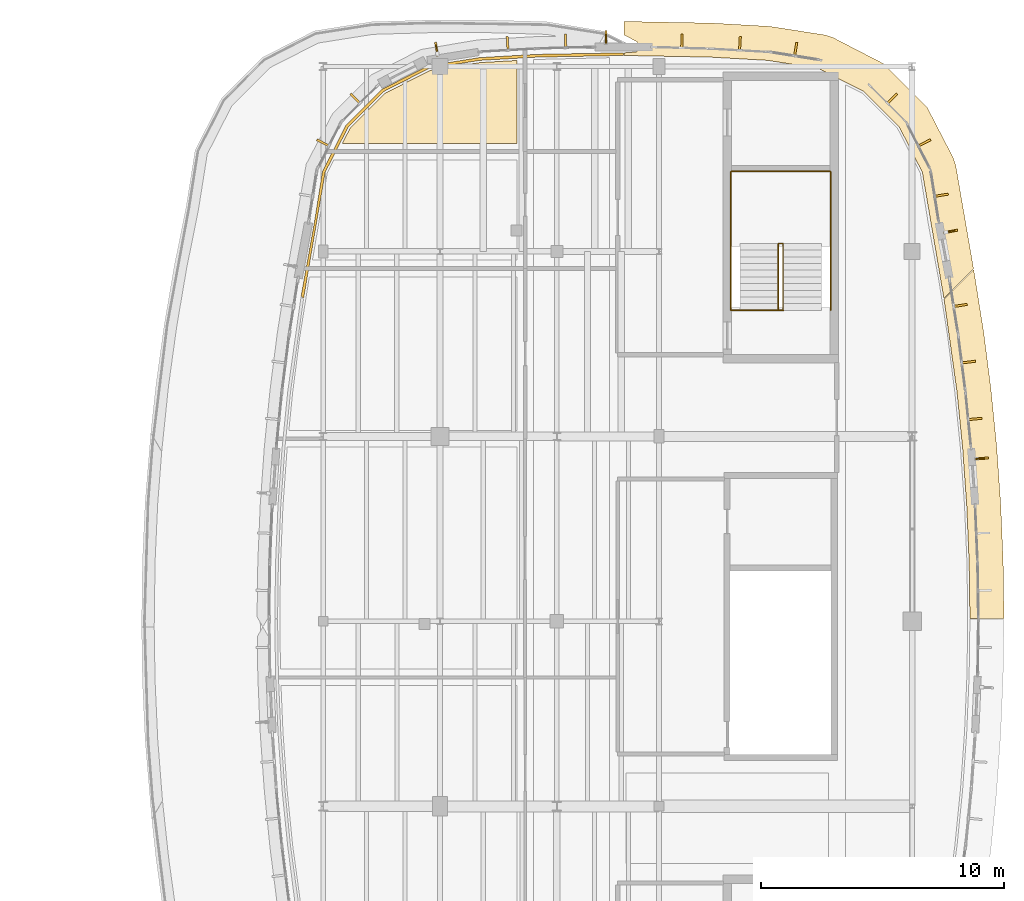
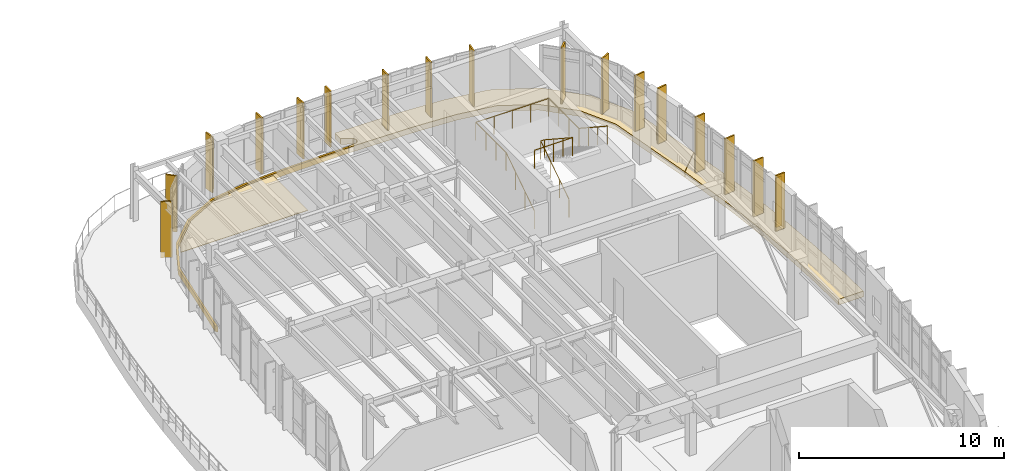
# One storey, part 30 of 30: 21 coverings, 4 shading devices, 3 railings.
"""IFC4 building model written with IfcOpenShell, lengths in metres."""

import ifcopenshell
import ifcopenshell.guid

model = None  # the IFC model being written
_history = None  # IfcOwnerHistory: only IFC2X3 demands one
_inside = {}  # id of a spatial element -> (the spatial element, [elements in it])
_under = {}  # id of a project, library or spatial element -> (it, [spatial elements below it])
_declared = {}  # id of a project -> (the project, [libraries it declares])
_typed = {}  # id of a type object -> (the type object, [elements of that type])
_made_of = {}  # id of a material, layer set ... -> (it, [elements and type objects made of it])


def new_model(schema):
    """Start an empty IFC model of exactly this schema.

    Asked for "IFC4X3", IfcOpenShell would pick the latest addendum, in which some entities
    have other attributes; the version numbers below select the first issue.
    IFC2X3 requires an IfcOwnerHistory on every rooted entity: one is made here for all.
    """
    global model, _history
    if schema == "IFC4X3":
        model = ifcopenshell.file(schema_version=(4, 3, 0, 0))
    else:
        model = ifcopenshell.file(schema=schema)
    _inside.clear()
    _under.clear()
    _declared.clear()
    _typed.clear()
    _made_of.clear()
    _history = None
    if model.schema == "IFC2X3":
        org = make("IfcOrganization", Name="unknown")
        user = make(
            "IfcPersonAndOrganization",
            ThePerson=make("IfcPerson", FamilyName="unknown"),
            TheOrganization=org,
        )
        app = make(
            "IfcApplication",
            ApplicationDeveloper=org,
            Version="unknown",
            ApplicationFullName="unknown",
            ApplicationIdentifier="unknown",
        )
        _history = make(
            "IfcOwnerHistory",
            OwningUser=user,
            OwningApplication=app,
            ChangeAction="ADDED",
            CreationDate=0,
        )
    return model


def make(cls, **values):
    """One entity of the class cls with the attributes given. An attribute that is None is left unset."""
    return model.create_entity(
        cls, **{name: value for name, value in values.items() if value is not None}
    )


def rooted(cls, **values):
    """An entity with a GlobalId (a new one), such as an element, a storey or a relation."""
    return make(cls, GlobalId=ifcopenshell.guid.new(), OwnerHistory=_history, **values)


def si_unit(unit_type, name, prefix=None):
    """IfcSIUnit, for example si_unit("LENGTHUNIT", "METRE", prefix="MILLI")."""
    return make("IfcSIUnit", UnitType=unit_type, Prefix=prefix, Name=name)


def assignment(units):
    """IfcUnitAssignment: the units of a project."""
    return None if units is None else make("IfcUnitAssignment", Units=units)


def point(xyz):
    """IfcCartesianPoint."""
    return None if xyz is None else make("IfcCartesianPoint", Coordinates=xyz)


def direction(xyz):
    """IfcDirection."""
    return None if xyz is None else make("IfcDirection", DirectionRatios=xyz)


def frame(location, z_axis=None, x_axis=None):
    """IfcAxis2Placement3D, a coordinate frame: its origin and axes. An axis left out is left unset."""
    return make(
        "IfcAxis2Placement3D",
        Location=point(location),
        Axis=direction(z_axis),
        RefDirection=direction(x_axis),
    )


def frame_2d(location, x_axis=None):
    """IfcAxis2Placement2D, a coordinate frame in the plane: its origin and x axis."""
    return make(
        "IfcAxis2Placement2D", Location=point(location), RefDirection=direction(x_axis)
    )


def origin():
    """The frame at (0, 0, 0) with its axes left unset."""
    return frame((0.0, 0.0, 0.0))


def origin_2d():
    """The frame at (0, 0) in the plane with its x axis left unset."""
    return frame_2d((0.0, 0.0))


def place(relative_to, where):
    """IfcLocalPlacement: puts the frame where relative to a parent placement (None: the world)."""
    return make(
        "IfcLocalPlacement", PlacementRelTo=relative_to, RelativePlacement=where
    )


def context(
    kind, dimensions, precision=None, world=None, true_north=None, identifier=None
):
    """IfcGeometricRepresentationContext, for example the 3D "Model" context."""
    return make(
        "IfcGeometricRepresentationContext",
        ContextIdentifier=identifier,
        ContextType=kind,
        CoordinateSpaceDimension=dimensions,
        Precision=precision,
        WorldCoordinateSystem=world,
        TrueNorth=true_north,
    )


def subcontext(parent, identifier, kind, view, scale=None):
    """IfcGeometricRepresentationSubContext, for example "Body" below "Model"."""
    return make(
        "IfcGeometricRepresentationSubContext",
        ContextIdentifier=identifier,
        ContextType=kind,
        ParentContext=parent,
        TargetScale=scale,
        TargetView=view,
    )


def project(units=None, contexts=None):
    """IfcProject with its units and contexts."""
    return rooted(
        "IfcProject",
        Name="project",
        RepresentationContexts=contexts,
        UnitsInContext=assignment(units),
    )


def spatial(cls, under=None, at=None, **own):
    """A site, building, storey or space (cls), placed at a placement, below another one or the project."""
    s = rooted(cls, ObjectPlacement=at, **own)
    if under is not None:
        _under.setdefault(under.id(), (under, []))[1].append(s)
    return s


def polyline(points):
    """IfcPolyline through the points."""
    return make("IfcPolyline", Points=[point(p) for p in points])


def profile(cls, at=None, kind="AREA", **sizes):
    """A parametric profile (cls). Its sizes go by their IFC names, for example OverallWidth=200.0."""
    return make(cls, ProfileType=kind, Position=at, **sizes)


def rectangle(**sizes):
    """IfcRectangleProfileDef."""
    return profile("IfcRectangleProfileDef", **sizes)


def circle(**sizes):
    """IfcCircleProfileDef."""
    return profile("IfcCircleProfileDef", **sizes)


def outline(outer, holes=None, kind="AREA"):
    """IfcArbitraryClosedProfileDef: a profile drawn as a closed curve; with holes, ...WithVoids."""
    if holes is None:
        return make("IfcArbitraryClosedProfileDef", ProfileType=kind, OuterCurve=outer)
    return make(
        "IfcArbitraryProfileDefWithVoids",
        ProfileType=kind,
        OuterCurve=outer,
        InnerCurves=holes,
    )


def extrude(swept, where, along, depth):
    """IfcExtrudedAreaSolid: the profile swept, set in the frame where, extruded along a direction by depth."""
    return make(
        "IfcExtrudedAreaSolid",
        SweptArea=swept,
        Position=where,
        ExtrudedDirection=direction(along),
        Depth=depth,
    )


def shape(context_of_items, identifier, shape_type, items):
    """IfcShapeRepresentation: the items that make up one representation, for example the "Body"."""
    return make(
        "IfcShapeRepresentation",
        ContextOfItems=context_of_items,
        RepresentationIdentifier=identifier,
        RepresentationType=shape_type,
        Items=items,
    )


def material(Name=None, Category=None):
    """IfcMaterial."""
    return make("IfcMaterial", Name=Name, Category=Category)


def layer(
    of_material, thickness, ventilated=None, Name=None, Category=None, Priority=None
):
    """IfcMaterialLayer: one layer of a wall or slab, of a material (None: an air gap)."""
    return make(
        "IfcMaterialLayer",
        Material=of_material,
        LayerThickness=thickness,
        IsVentilated=ventilated,
        Name=Name,
        Category=Category,
        Priority=Priority,
    )


def layer_set(layers, Name=None):
    """IfcMaterialLayerSet."""
    return make("IfcMaterialLayerSet", MaterialLayers=layers, LayerSetName=Name)


def made_of(thing, what):
    """Note that an element or type object is made of a material, layer set ...; save() writes the relation."""
    if what is not None:
        _made_of.setdefault(what.id(), (what, []))[1].append(thing)
    return thing


def type_object(cls, material=None, **own):
    """A type object (cls), such as IfcWallType, which elements share."""
    return made_of(rooted(cls, **own), material)


def element(
    cls,
    number,
    at=None,
    inside=None,
    cuts=None,
    type_object=None,
    material=None,
    context=None,
    identifier="Body",
    shape_type=None,
    held_by="IfcProductDefinitionShape",
    body=None,
    shapes=None,
    **own,
):
    """One element of the class cls, such as IfcWall. Its Tag is "e" and its number.

    at: its placement. inside: the storey or other place that contains it. cuts: it is an
    opening in that element (IfcRelVoidsElement). A single representation is given by context,
    identifier, shape_type and body (its items); several are given by shapes. held_by: the class
    of the entity that holds the representations. save() writes the other relations.
    """
    e = rooted(cls, Tag="e%d" % number, ObjectPlacement=at, **own)
    if body is not None:
        shapes = [shape(context, identifier, shape_type, body)]
    if shapes is not None:
        e.Representation = make(held_by, Representations=shapes)
    if inside is not None:
        _inside.setdefault(inside.id(), (inside, []))[1].append(e)
    if cuts is not None:
        rooted(
            "IfcRelVoidsElement", RelatingBuildingElement=cuts, RelatedOpeningElement=e
        )
    if type_object is not None:
        _typed.setdefault(type_object.id(), (type_object, []))[1].append(e)
    return made_of(e, material)


def aggregate(whole, parts):
    """IfcRelAggregates: a whole, such as a stair, and the parts it consists of."""
    return rooted("IfcRelAggregates", RelatingObject=whole, RelatedObjects=parts)


def save(model, path):
    """Write the relations noted so far, then the file.

    IfcRelAggregates (storeys below a building ...), IfcRelContainedInSpatialStructure (elements
    in a storey), IfcRelDefinesByType, IfcRelAssociatesMaterial and IfcRelDeclares: one each for
    every whole, place, type object, material and project.
    """
    for whole, parts in _under.values():
        aggregate(whole, parts)
    for where, things in _inside.values():
        rooted(
            "IfcRelContainedInSpatialStructure",
            RelatedElements=things,
            RelatingStructure=where,
        )
    for kind, things in _typed.values():
        rooted("IfcRelDefinesByType", RelatedObjects=things, RelatingType=kind)
    for what, things in _made_of.values():
        rooted("IfcRelAssociatesMaterial", RelatedObjects=things, RelatingMaterial=what)
    for by, libraries in _declared.values():
        rooted("IfcRelDeclares", RelatingContext=by, RelatedDefinitions=libraries)
    model.write(path)


model = new_model("IFC4")

# Units and contexts
model_context = context("Model", 3, precision=1e-05, world=origin(), true_north=direction((0.0, 1.0)))
body_context = subcontext(model_context, "Body", "Model", "MODEL_VIEW")
ifc_project = project(units=[si_unit("LENGTHUNIT", "METRE"), si_unit("AREAUNIT", "SQUARE_METRE"), si_unit("VOLUMEUNIT", "CUBIC_METRE"), si_unit("PLANEANGLEUNIT", "RADIAN"), si_unit("MASSUNIT", "GRAM", prefix="KILO")], contexts=[model_context])

# Site, building, storey
site_placement = place(None, origin())
site = spatial("IfcSite", under=ifc_project, at=site_placement, CompositionType="ELEMENT")
building_placement = place(site_placement, origin())
building = spatial("IfcBuilding", under=site, at=building_placement, Name="Corveleigh Park Community Centre", CompositionType="ELEMENT")
storey_placement = place(building_placement, frame((0.0, 0.0, 12.60009765625)))
storey = spatial("IfcBuildingStorey", under=building, at=storey_placement, Name="L03", CompositionType="ELEMENT", Elevation=12.60009765625)

# Coverings
ifc_material_1 = material(Name="Warm buff ribbed architectural cladding", Category="masonry")
ifc_layer_1 = layer(ifc_material_1, 0.0849609375, Name="Warm buff ribbed architectural cladding", Category="masonry")
ifc_layer_set_1 = layer_set([ifc_layer_1], Name="Warm buff ribbed architectural cladding")
covering_type_1 = type_object("IfcCoveringType", Name="COV-CLD-BUF", PredefinedType="CLADDING", material=ifc_layer_set_1)
covering_1_placement = place(storey_placement, origin())
element("IfcCovering", 1, at=covering_1_placement, inside=storey, type_object=covering_type_1, Name="V4 L03 Brise-soleil blade 447", PredefinedType="CLADDING", context=body_context, shape_type="SweptSolid", body=[
    extrude(outline(polyline([(171.0, 88.117919921875), (171.006103515625, 88.032958984375), (171.5400390625, 88.071044921875), (171.533935546875, 88.155029296875), (171.0, 88.117919921875)])), origin(), (0.0, 0.0, 1.0), 3.35693359375),
])
covering_2_placement = place(storey_placement, origin())
element("IfcCovering", 2, at=covering_2_placement, inside=storey, type_object=covering_type_1, Name="V4 L03 Brise-soleil blade 448", PredefinedType="CLADDING", context=body_context, shape_type="SweptSolid", body=[
    extrude(outline(polyline([(170.68505859375, 89.72998046875), (170.694091796875, 89.64501953125), (171.27099609375, 89.702880859375), (171.262939453125, 89.787109375), (170.68505859375, 89.72998046875)])), origin(), (0.0, 0.0, 1.0), 3.35693359375),
])
covering_3_placement = place(storey_placement, origin())
element("IfcCovering", 3, at=covering_3_placement, inside=storey, type_object=covering_type_1, Name="V4 L03 Brise-soleil blade 449", PredefinedType="CLADDING", context=body_context, shape_type="SweptSolid", body=[
    extrude(outline(polyline([(170.4189453125, 92.05810546875), (170.429931640625, 91.97412109375), (171.0048828125, 92.048095703125), (170.993896484375, 92.132080078125), (170.4189453125, 92.05810546875)])), origin(), (0.0, 0.0, 1.0), 3.35693359375),
])
covering_4_placement = place(storey_placement, origin())
element("IfcCovering", 4, at=covering_4_placement, inside=storey, type_object=covering_type_1, Name="V4 L03 Brise-soleil blade 450", PredefinedType="CLADDING", context=body_context, shape_type="SweptSolid", body=[
    extrude(outline(polyline([(170.0859375, 94.376953125), (170.09912109375, 94.29296875), (170.672119140625, 94.384033203125), (170.658935546875, 94.468017578125), (170.0859375, 94.376953125)])), origin(), (0.0, 0.0, 1.0), 3.35693359375),
])
covering_5_placement = place(storey_placement, origin())
element("IfcCovering", 5, at=covering_5_placement, inside=storey, type_object=covering_type_1, Name="V4 L03 Brise-soleil blade 451", PredefinedType="CLADDING", context=body_context, shape_type="SweptSolid", body=[
    extrude(outline(polyline([(169.72900390625, 97.4189453125), (169.7451171875, 97.3349609375), (170.27099609375, 97.43310546875), (170.2548828125, 97.51708984375), (169.72900390625, 97.4189453125)])), origin(), (0.0, 0.0, 1.0), 3.35693359375),
])
covering_6_placement = place(storey_placement, origin())
element("IfcCovering", 6, at=covering_6_placement, inside=storey, type_object=covering_type_1, Name="V4 L03 Brise-soleil blade 452", PredefinedType="CLADDING", context=body_context, shape_type="SweptSolid", body=[
    extrude(outline(polyline([(169.304931640625, 98.906005859375), (169.318115234375, 98.822021484375), (169.89111328125, 98.9130859375), (169.876953125, 98.9970703125), (169.304931640625, 98.906005859375)])), origin(), (0.0, 0.0, 1.0), 3.35693359375),
])
covering_7_placement = place(storey_placement, origin())
element("IfcCovering", 7, at=covering_7_placement, inside=storey, type_object=covering_type_1, Name="V4 L03 Brise-soleil blade 453", PredefinedType="CLADDING", context=body_context, shape_type="SweptSolid", body=[
    extrude(outline(polyline([(168.623046875, 100.967041015625), (168.660888671875, 100.89208984375), (169.177978515625, 101.155029296875), (169.139892578125, 101.23095703125), (168.623046875, 100.967041015625)])), origin(), (0.0, 0.0, 1.0), 3.35693359375),
])
covering_8_placement = place(storey_placement, origin())
element("IfcCovering", 8, at=covering_8_placement, inside=storey, type_object=covering_type_1, Name="V4 L03 Brise-soleil blade 454", PredefinedType="CLADDING", context=body_context, shape_type="SweptSolid", body=[
    extrude(outline(polyline([(167.343994140625, 102.7041015625), (167.404052734375, 102.64404296875), (167.81494140625, 103.053955078125), (167.75390625, 103.114990234375), (167.343994140625, 102.7041015625)])), origin(), (0.0, 0.0, 1.0), 3.35693359375),
])
covering_9_placement = place(storey_placement, origin())
element("IfcCovering", 9, at=covering_9_placement, inside=storey, type_object=covering_type_1, Name="V4 L03 Brise-soleil blade 455", PredefinedType="CLADDING", context=body_context, shape_type="SweptSolid", body=[
    extrude(outline(polyline([(163.52490234375, 104.616943359375), (163.60888671875, 104.60400390625), (163.699951171875, 105.177001953125), (163.615966796875, 105.18994140625), (163.52490234375, 104.616943359375)])), origin(), (0.0, 0.0, 1.0), 3.35693359375),
])
covering_10_placement = place(storey_placement, origin())
element("IfcCovering", 10, at=covering_10_placement, inside=storey, type_object=covering_type_1, Name="V4 L03 Brise-soleil blade 456", PredefinedType="CLADDING", context=body_context, shape_type="SweptSolid", body=[
    extrude(outline(polyline([(161.263916015625, 104.85009765625), (161.34912109375, 104.844970703125), (161.382080078125, 105.424072265625), (161.297119140625, 105.428955078125), (161.263916015625, 104.85009765625)])), origin(), (0.0, 0.0, 1.0), 3.31201171875),
])
covering_11_placement = place(storey_placement, origin())
element("IfcCovering", 11, at=covering_11_placement, inside=storey, type_object=covering_type_1, Name="V4 L03 Brise-soleil blade 457", PredefinedType="CLADDING", context=body_context, shape_type="SweptSolid", body=[
    extrude(outline(polyline([(158.887939453125, 104.949951171875), (158.972900390625, 104.947998046875), (158.989990234375, 105.528076171875), (158.905029296875, 105.530029296875), (158.887939453125, 104.949951171875)])), origin(), (0.0, 0.0, 1.0), 3.3369140625),
])
covering_12_placement = place(storey_placement, origin())
element("IfcCovering", 12, at=covering_12_placement, inside=storey, type_object=covering_type_1, Name="V4 L03 Brise-soleil blade 458", PredefinedType="CLADDING", context=body_context, shape_type="SweptSolid", body=[
    extrude(outline(polyline([(155.77490234375, 105.14794921875), (155.860107421875, 105.14794921875), (155.860107421875, 105.68310546875), (155.77490234375, 105.68310546875), (155.77490234375, 105.14794921875)])), origin(), (0.0, 0.0, 1.0), 3.3369140625),
])
covering_13_placement = place(storey_placement, origin())
element("IfcCovering", 13, at=covering_13_placement, inside=storey, type_object=covering_type_1, Name="V4 L03 Brise-soleil blade 459", PredefinedType="CLADDING", context=body_context, shape_type="SweptSolid", body=[
    extrude(outline(polyline([(154.126953125, 104.947998046875), (154.2119140625, 104.949951171875), (154.195068359375, 105.530029296875), (154.110107421875, 105.528076171875), (154.126953125, 104.947998046875)])), origin(), (0.0, 0.0, 1.0), 3.3369140625),
])
covering_14_placement = place(storey_placement, origin())
element("IfcCovering", 14, at=covering_14_placement, inside=storey, type_object=covering_type_1, Name="V4 L03 Brise-soleil blade 460", PredefinedType="CLADDING", context=body_context, shape_type="SweptSolid", body=[
    extrude(outline(polyline([(151.7509765625, 104.844970703125), (151.8359375, 104.85009765625), (151.802978515625, 105.428955078125), (151.718017578125, 105.424072265625), (151.7509765625, 104.844970703125)])), origin(), (0.0, 0.0, 1.0), 3.3369140625),
])
covering_15_placement = place(storey_placement, origin())
element("IfcCovering", 15, at=covering_15_placement, inside=storey, type_object=covering_type_1, Name="V4 L03 Brise-soleil blade 461", PredefinedType="CLADDING", context=body_context, shape_type="SweptSolid", body=[
    extrude(outline(polyline([(148.85595703125, 104.659912109375), (148.93994140625, 104.673095703125), (148.85693359375, 105.201904296875), (148.77294921875, 105.18896484375), (148.85595703125, 104.659912109375)])), origin(), (0.0, 0.0, 1.0), 3.3369140625),
])
covering_16_placement = place(storey_placement, origin())
element("IfcCovering", 16, at=covering_16_placement, inside=storey, type_object=covering_type_1, Name="V4 L03 Brise-soleil blade 462", PredefinedType="CLADDING", context=body_context, shape_type="SweptSolid", body=[
    extrude(outline(polyline([(145.696044921875, 102.64404296875), (145.756103515625, 102.7041015625), (145.345947265625, 103.114990234375), (145.284912109375, 103.053955078125), (145.696044921875, 102.64404296875)])), origin(), (0.0, 0.0, 1.0), 3.3369140625),
])
covering_17_placement = place(storey_placement, origin())
element("IfcCovering", 17, at=covering_17_placement, inside=storey, type_object=covering_type_1, Name="V4 L03 Brise-soleil blade 463", PredefinedType="CLADDING", context=body_context, shape_type="SweptSolid", body=[
    extrude(outline(polyline([(144.43896484375, 100.89208984375), (144.47705078125, 100.967041015625), (143.9599609375, 101.23095703125), (143.922119140625, 101.155029296875), (144.43896484375, 100.89208984375)])), origin(), (0.0, 0.0, 1.0), 3.3369140625),
])
ifc_material_2 = material(Name="White architectural fascia cladding", Category="masonry")
ifc_layer_2 = layer(ifc_material_2, 0.074951171875, Name="White architectural fascia cladding", Category="masonry")
ifc_layer_set_2 = layer_set([ifc_layer_2], Name="White architectural fascia cladding")
covering_type_2 = type_object("IfcCoveringType", Name="COV-CLD-WHT", PredefinedType="CLADDING", material=ifc_layer_set_2)
covering_18_placement = place(storey_placement, frame((0.0, 0.0, -0.300048828125)))
element("IfcCovering", 18, at=covering_18_placement, inside=storey, type_object=covering_type_2, Name="V4 L03 Horizontal Sun-Hood 1", PredefinedType="CLADDING", context=body_context, shape_type="SweptSolid", body=[
    extrude(outline(polyline([(170.928955078125, 95.864990234375), (171.3359375, 93.31396484375), (171.637939453125, 90.9599609375), (171.87109375, 88.626953125), (172.0390625, 86.259033203125), (172.14111328125, 83.888916015625), (172.175048828125, 81.508056640625), (170.77490234375, 81.507080078125), (170.741943359375, 83.833984375), (170.64306640625, 86.1650390625), (170.47705078125, 88.492919921875), (170.2451171875, 90.81591796875), (169.7099609375, 94.64599609375), (170.928955078125, 95.864990234375)])), origin(), (0.0, 0.0, 1.0), 0.33984375),
])
covering_19_placement = place(storey_placement, frame((0.0, 0.0, -0.300048828125)))
element("IfcCovering", 19, at=covering_19_placement, inside=storey, type_object=covering_type_2, Name="V4 L03 Horizontal Sun-Hood 2", PredefinedType="CLADDING", context=body_context, shape_type="SweptSolid", body=[
    extrude(outline(polyline([(156.56201171875, 106.052978515625), (160.152099609375, 105.985107421875), (162.56005859375, 105.847900390625), (164.826904296875, 105.493896484375), (165.139892578125, 105.39306640625), (167.23095703125, 104.31201171875), (169.011962890625, 102.531005859375), (170.093017578125, 100.43994140625), (170.194091796875, 100.126953125), (170.925048828125, 95.888916015625), (169.7060546875, 94.6689453125), (168.820068359375, 99.85302734375), (167.8759765625, 101.7060546875), (166.406005859375, 103.176025390625), (164.552978515625, 104.1201171875), (162.462890625, 104.451904296875), (160.10693359375, 104.5849609375), (156.56201171875, 104.653076171875), (156.56201171875, 104.760986328125), (157.068115234375, 104.800048828125), (157.1689453125, 104.904052734375), (157.196044921875, 105.02294921875), (157.10107421875, 105.214111328125), (156.56201171875, 105.493896484375), (156.56201171875, 106.052978515625)])), origin(), (0.0, 0.0, 1.0), 0.33984375),
])
covering_20_placement = place(storey_placement, frame((0.0, 0.0, -0.300048828125)))
element("IfcCovering", 20, at=covering_20_placement, inside=storey, type_object=covering_type_2, Name="V4 L03 Horizontal Sun-Hood 3", PredefinedType="CLADDING", context=body_context, shape_type="SweptSolid", body=[
    extrude(outline(polyline([(143.29296875, 94.77001953125), (143.8310546875, 97.757080078125), (144.169921875, 99.888916015625), (145.12890625, 101.77294921875), (146.6259765625, 103.27001953125), (148.510986328125, 104.22998046875), (150.6259765625, 104.56591796875), (152.987060546875, 104.699951171875), (156.5380859375, 104.760986328125), (156.5380859375, 104.653076171875), (152.992919921875, 104.5849609375), (150.636962890625, 104.451904296875), (148.547119140625, 104.1201171875), (146.694091796875, 103.176025390625), (145.22412109375, 101.7060546875), (144.280029296875, 99.85302734375), (143.39404296875, 94.6689453125), (143.29296875, 94.77001953125)])), origin(), (0.0, 0.0, 1.0), 0.33984375),
])
ifc_material_3 = material(Name="Acoustic linoleum flooring", Category="wood")
ifc_layer_3 = layer(ifc_material_3, 0.02490234375, Name="Acoustic linoleum flooring", Category="wood")
ifc_layer_set_3 = layer_set([ifc_layer_3], Name="Acoustic linoleum flooring")
covering_type_3 = type_object("IfcCoveringType", Name="COV-FLR-LIN", PredefinedType="FLOORING", material=ifc_layer_set_3)
covering_21_placement = place(storey_placement, origin())
element("IfcCovering", 21, at=covering_21_placement, inside=storey, type_object=covering_type_3, Name="Accessible and Public Toilets L03 flooring", PredefinedType="FLOORING", context=body_context, shape_type="SweptSolid", body=[
    extrude(outline(polyline([(152.159912109375, 101.0400390625), (144.986083984375, 101.0400390625), (145.297119140625, 101.652099609375), (146.748046875, 103.10302734375), (148.574951171875, 104.032958984375), (150.64697265625, 104.362060546875), (152.159912109375, 104.447998046875), (152.159912109375, 101.0400390625)])), origin(), (0.0, 0.0, 1.0), 0.02490234375),
])

# Railings
ifc_material_4 = material(Name="Stainless steel 316 balustrade", Category="steel")
railing_type = type_object("IfcRailingType", Name="RLG-BAL-INT-1100", PredefinedType="BALUSTRADE", material=ifc_material_4)
railing_1_placement = place(storey_placement, frame((162.89990234375, 94.179931640625, 0.0)))
element("IfcRailing", 22, at=railing_1_placement, inside=storey, type_object=railing_type, Name="Stair ST2 inner guard L03", PredefinedType="BALUSTRADE", context=body_context, shape_type="SweptSolid", body=[
    extrude(circle(Radius=0.02392578125, at=origin_2d()), frame((0.0, 0.0, 1.076171875), z_axis=(0.0, 0.83672874682, 0.547617571161), x_axis=(-1.0, 0.0, 0.0)), (0.0, 0.0, 1.0), 3.28662109375),
    extrude(circle(Radius=0.02392578125, at=origin_2d()), frame((0.0, 2.75, 2.8759765625), z_axis=(1.0, 0.0, 0.0), x_axis=(0.0, 1.0, 0.0)), (0.0, 0.0, 1.0), 0.2001953125),
    extrude(circle(Radius=0.02392578125, at=origin_2d()), frame((0.2001953125, 2.75, 2.8759765625), z_axis=(0.0, -0.836694709366, 0.547669574943), x_axis=(1.0, 0.0, 0.0)), (0.0, 0.0, 1.0), 3.28662109375),
    extrude(circle(Radius=0.02099609375, at=origin_2d()), origin(), (0.0, 0.0, 1.0), 1.052001953125),
    extrude(circle(Radius=0.02099609375, at=origin_2d()), frame((0.0, 0.916748046875, 0.599853515625)), (0.0, 0.0, 1.0), 1.052001953125),
    extrude(circle(Radius=0.02099609375, at=origin_2d()), frame((0.0, 1.833251953125, 1.199951171875)), (0.0, 0.0, 1.0), 1.052001953125),
    extrude(circle(Radius=0.02099609375, at=origin_2d()), frame((0.0, 2.75, 1.7998046875)), (0.0, 0.0, 1.0), 1.052001953125),
    extrude(circle(Radius=0.02099609375, at=origin_2d()), frame((0.2001953125, 2.75, 1.7998046875)), (0.0, 0.0, 1.0), 1.052001953125),
    extrude(circle(Radius=0.02099609375, at=origin_2d()), frame((0.2001953125, 1.833251953125, 2.39990234375)), (0.0, 0.0, 1.0), 1.052001953125),
    extrude(circle(Radius=0.02099609375, at=origin_2d()), frame((0.2001953125, 0.916748046875, 2.999755859375)), (0.0, 0.0, 1.0), 1.052001953125),
    extrude(circle(Radius=0.02099609375, at=origin_2d()), frame((0.2001953125, 0.0, 3.599853515625)), (0.0, 0.0, 1.0), 1.052001953125),
])
railing_2_placement = place(storey_placement, frame((160.967041015625, 94.179931640625, 3.599853515625)))
element("IfcRailing", 23, at=railing_2_placement, inside=storey, type_object=railing_type, Name="Stair ST2 landing guard L03", PredefinedType="BALUSTRADE", context=body_context, shape_type="SweptSolid", body=[
    extrude(circle(Radius=0.02392578125, at=origin_2d()), frame((0.0, 0.0, 1.076171875), z_axis=(1.0, 0.0, 0.0), x_axis=(0.0, 1.0, 0.0)), (0.0, 0.0, 1.0), 2.133056640625),
    extrude(circle(Radius=0.02099609375, at=origin_2d()), origin(), (0.0, 0.0, 1.0), 1.052001953125),
    extrude(circle(Radius=0.02099609375, at=origin_2d()), frame((1.06640625, 0.0, 0.0)), (0.0, 0.0, 1.0), 1.052001953125),
    extrude(circle(Radius=0.02099609375, at=origin_2d()), frame((2.133056640625, 0.0, 0.0)), (0.0, 0.0, 1.0), 1.052001953125),
])
railing_3_placement = place(storey_placement, frame((160.947021484375, 94.179931640625, 0.0)))
element("IfcRailing", 24, at=railing_3_placement, inside=storey, type_object=railing_type, Name="Stair ST2 perimeter guard L03", PredefinedType="BALUSTRADE", context=body_context, shape_type="SweptSolid", body=[
    extrude(circle(Radius=0.02392578125, at=origin_2d()), frame((0.0, 0.0, 1.076171875), z_axis=(0.0, 0.83672874682, 0.547617571161), x_axis=(-1.0, 0.0, 0.0)), (0.0, 0.0, 1.0), 3.28662109375),
    extrude(circle(Radius=0.02392578125, at=origin_2d()), frame((0.0, 2.75, 2.8759765625), z_axis=(0.0, 1.0, 0.0), x_axis=(-1.0, 0.0, 0.0)), (0.0, 0.0, 1.0), 2.963134765625),
    extrude(circle(Radius=0.02392578125, at=origin_2d()), frame((0.0, 5.713134765625, 2.8759765625), z_axis=(1.0, 0.0, 0.0), x_axis=(0.0, 1.0, 0.0)), (0.0, 0.0, 1.0), 4.10595703125),
    extrude(circle(Radius=0.02392578125, at=origin_2d()), frame((4.10595703125, 5.713134765625, 2.8759765625), z_axis=(0.0, -1.0, 0.0), x_axis=(1.0, 0.0, 0.0)), (0.0, 0.0, 1.0), 2.963134765625),
    extrude(circle(Radius=0.02392578125, at=origin_2d()), frame((4.10595703125, 2.75, 2.8759765625), z_axis=(0.0, -0.836694709366, 0.547669574943), x_axis=(1.0, 0.0, 0.0)), (0.0, 0.0, 1.0), 3.28662109375),
    extrude(circle(Radius=0.02099609375, at=origin_2d()), origin(), (0.0, 0.0, 1.0), 1.052001953125),
    extrude(circle(Radius=0.02099609375, at=origin_2d()), frame((0.0, 0.916748046875, 0.599853515625)), (0.0, 0.0, 1.0), 1.052001953125),
    extrude(circle(Radius=0.02099609375, at=origin_2d()), frame((0.0, 1.833251953125, 1.199951171875)), (0.0, 0.0, 1.0), 1.052001953125),
    extrude(circle(Radius=0.02099609375, at=origin_2d()), frame((0.0, 2.75, 1.7998046875)), (0.0, 0.0, 1.0), 1.052001953125),
    extrude(circle(Radius=0.02099609375, at=origin_2d()), frame((0.0, 3.73779296875, 1.7998046875)), (0.0, 0.0, 1.0), 1.052001953125),
    extrude(circle(Radius=0.02099609375, at=origin_2d()), frame((0.0, 4.725341796875, 1.7998046875)), (0.0, 0.0, 1.0), 1.052001953125),
    extrude(circle(Radius=0.02099609375, at=origin_2d()), frame((0.0, 5.713134765625, 1.7998046875)), (0.0, 0.0, 1.0), 1.052001953125),
    extrude(circle(Radius=0.02099609375, at=origin_2d()), frame((1.0263671875, 5.713134765625, 1.7998046875)), (0.0, 0.0, 1.0), 1.052001953125),
    extrude(circle(Radius=0.02099609375, at=origin_2d()), frame((2.052978515625, 5.713134765625, 1.7998046875)), (0.0, 0.0, 1.0), 1.052001953125),
    extrude(circle(Radius=0.02099609375, at=origin_2d()), frame((3.07958984375, 5.713134765625, 1.7998046875)), (0.0, 0.0, 1.0), 1.052001953125),
    extrude(circle(Radius=0.02099609375, at=origin_2d()), frame((4.10595703125, 5.713134765625, 1.7998046875)), (0.0, 0.0, 1.0), 1.052001953125),
    extrude(circle(Radius=0.02099609375, at=origin_2d()), frame((4.10595703125, 4.725341796875, 1.7998046875)), (0.0, 0.0, 1.0), 1.052001953125),
    extrude(circle(Radius=0.02099609375, at=origin_2d()), frame((4.10595703125, 3.73779296875, 1.7998046875)), (0.0, 0.0, 1.0), 1.052001953125),
    extrude(circle(Radius=0.02099609375, at=origin_2d()), frame((4.10595703125, 2.75, 1.7998046875)), (0.0, 0.0, 1.0), 1.052001953125),
    extrude(circle(Radius=0.02099609375, at=origin_2d()), frame((4.10595703125, 1.833251953125, 2.39990234375)), (0.0, 0.0, 1.0), 1.052001953125),
    extrude(circle(Radius=0.02099609375, at=origin_2d()), frame((4.10595703125, 0.916748046875, 2.999755859375)), (0.0, 0.0, 1.0), 1.052001953125),
    extrude(circle(Radius=0.02099609375, at=origin_2d()), frame((4.10595703125, 0.0, 3.599853515625)), (0.0, 0.0, 1.0), 1.052001953125),
])

# Shading devices
ifc_material_5 = material(Name="Terracotta-anodised aluminium fin", Category="masonry")
shading_device_type_1 = type_object("IfcShadingDeviceType", Name="SHD-FIN-TER-350", PredefinedType="USERDEFINED", material=ifc_material_5)
shading_device_1_placement = place(storey_placement, frame((171.193115234375, 88.089111328125, 0.25), z_axis=(0.0, 0.0, 1.0), x_axis=(0.997510811359, 0.070513695282, 0.0)))
element("IfcShadingDevice", 25, at=shading_device_1_placement, inside=storey, type_object=shading_device_type_1, Name="Terracotta brise-soleil fin 97", ObjectType="FIN", PredefinedType="USERDEFINED", context=body_context, shape_type="SweptSolid", body=[
    extrude(rectangle(XDim=0.35009765625, YDim=0.06005859375, at=origin_2d()), origin(), (0.0, 0.0, 1.0), 2.95703125),
])
shading_device_2_placement = place(storey_placement, frame((155.818115234375, 105.337890625, 0.25), z_axis=(0.0, 0.0, 1.0), x_axis=(0.0, 1.0, 0.0)))
element("IfcShadingDevice", 26, at=shading_device_2_placement, inside=storey, type_object=shading_device_type_1, Name="Terracotta brise-soleil fin 99", ObjectType="FIN", PredefinedType="USERDEFINED", context=body_context, shape_type="SweptSolid", body=[
    extrude(rectangle(XDim=0.35009765625, YDim=0.06005859375, at=origin_2d()), origin(), (0.0, 0.0, 1.0), 2.93701171875),
])
shading_device_type_2 = type_object("IfcShadingDeviceType", Name="SHD-FIN-TER-450", PredefinedType="USERDEFINED", material=ifc_material_5)
shading_device_3_placement = place(storey_placement, frame((169.924072265625, 97.412109375, 0.25), z_axis=(0.0, 0.0, 1.0), x_axis=(0.983076054762, 0.18319789997, 0.0)))
element("IfcShadingDevice", 27, at=shading_device_3_placement, inside=storey, type_object=shading_device_type_2, Name="Terracotta brise-soleil fin 98", ObjectType="FIN", PredefinedType="USERDEFINED", context=body_context, shape_type="SweptSolid", body=[
    extrude(rectangle(XDim=0.449951171875, YDim=0.06494140625, at=origin_2d()), origin(), (0.0, 0.0, 1.0), 2.95703125),
])
shading_device_4_placement = place(storey_placement, frame((148.868896484375, 104.85400390625, 0.25), z_axis=(0.0, 0.0, 1.0), x_axis=(-0.156419486996, 0.987690712768, 0.0)))
element("IfcShadingDevice", 28, at=shading_device_4_placement, inside=storey, type_object=shading_device_type_2, Name="Terracotta brise-soleil fin 100", ObjectType="FIN", PredefinedType="USERDEFINED", context=body_context, shape_type="SweptSolid", body=[
    extrude(rectangle(XDim=0.449951171875, YDim=0.06494140625, at=origin_2d()), origin(), (0.0, 0.0, 1.0), 2.93701171875),
])

save(model, "model.ifc")
